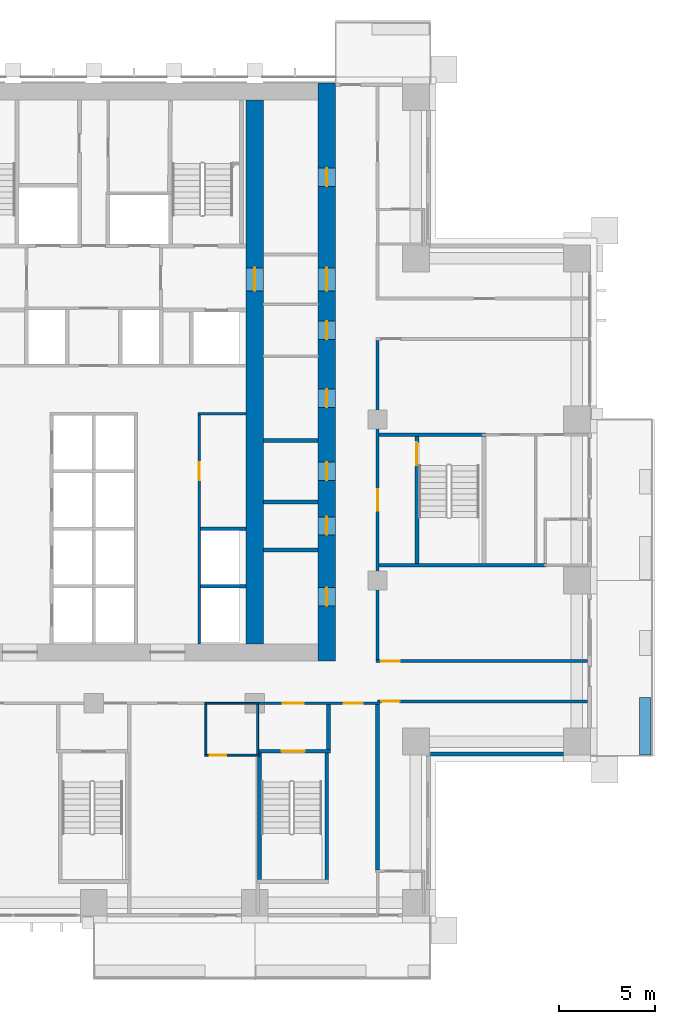
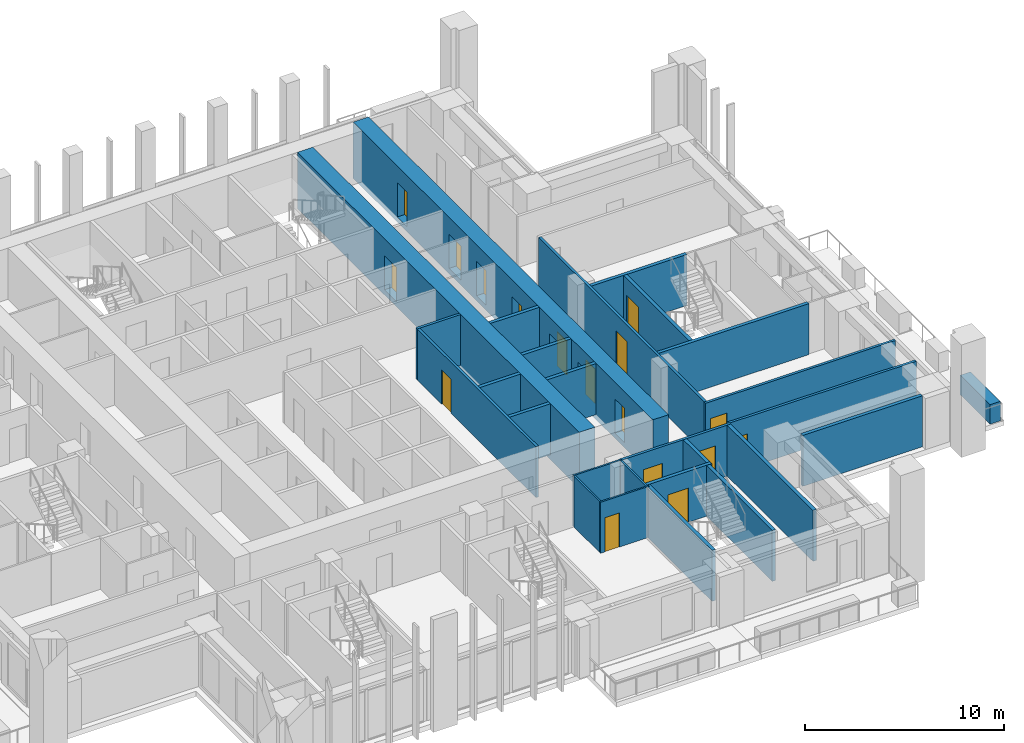
# One storey, part 11 of 19: 27 walls, 17 doors, 17 openings.
"""IFC4 building model written with IfcOpenShell, lengths in metres."""

from ifc_helpers import new_model, si_unit, direction, frame, frame_2d, origin, place, context, subcontext, project, spatial, rectangle, extrude, material, layer, layer_set, type_object, element, fill, save


model = new_model("IFC4")

# Units and contexts
model_context = context("Model", 3, precision=1e-05, world=origin(), true_north=direction((0.0, 1.0)))
body_context = subcontext(model_context, "Body", "Model", "MODEL_VIEW")
ifc_project = project(units=[si_unit("LENGTHUNIT", "METRE"), si_unit("AREAUNIT", "SQUARE_METRE"), si_unit("VOLUMEUNIT", "CUBIC_METRE"), si_unit("PLANEANGLEUNIT", "RADIAN"), si_unit("MASSUNIT", "GRAM", prefix="KILO")], contexts=[model_context])

# Site, building, storey
site_placement = place(None, origin())
site = spatial("IfcSite", under=ifc_project, at=site_placement, CompositionType="ELEMENT")
building_placement = place(site_placement, origin())
building = spatial("IfcBuilding", under=site, at=building_placement, Name="Vermilion Ogive Tower", CompositionType="ELEMENT")
storey_placement = place(building_placement, frame((0.0, 0.0, 48.300048828125)))
storey = spatial("IfcBuildingStorey", under=building, at=storey_placement, Name="L10", CompositionType="ELEMENT", Elevation=48.300048828125)

# Wall, openings, doors
ifc_material_1 = material(Name="Concrete B80", Category="concrete")
ifc_layer_1 = layer(ifc_material_1, 0.89990234375)
ifc_layer_set_1 = layer_set([ifc_layer_1], Name="Core wall 900 B80")
wall_type_1 = type_object("IfcWallType", Name="Core wall 900 B80", PredefinedType="SHEAR", material=ifc_layer_set_1)
wall_1_placement = place(storey_placement, frame((12.14990234375, -8.39990234375, -0.320068359375), z_axis=(0.0, 0.0, 1.0), x_axis=(0.0, 1.0, 0.0)))
wall_1 = element("IfcWall", 1, at=wall_1_placement, inside=storey, type_object=wall_type_1, Name="L10-CORE-E", PredefinedType="SHEAR", context=body_context, shape_type="SweptSolid", body=[
    extrude(rectangle(XDim=30.14990234375, YDim=0.89990234375, at=frame_2d((15.074951171875, 0.0))), origin(), (0.0, 0.0, 1.0), 3.449951171875),
])
opening_1_placement = place(wall_1_placement, frame((2.875, 0.0, 0.320068359375)))
opening_1 = element("IfcOpeningElement", 2, at=opening_1_placement, cuts=wall_1, Name="Opening DAC012", PredefinedType="OPENING", context=body_context, shape_type="SweptSolid", body=[
    extrude(rectangle(XDim=0.949951171875, YDim=2.10009765625, at=frame_2d((0.47509765625, 1.050048828125))), frame((0.0, 0.4599609375, 0.0), z_axis=(0.0, -1.0, 0.0), x_axis=(1.0, 0.0, 0.0)), (0.0, 0.0, 1.0), 0.919921875),
])
opening_2_placement = place(wall_1_placement, frame((6.574951171875, 0.0, 0.320068359375)))
opening_2 = element("IfcOpeningElement", 3, at=opening_2_placement, cuts=wall_1, Name="Opening DAC013", PredefinedType="OPENING", context=body_context, shape_type="SweptSolid", body=[
    extrude(rectangle(XDim=0.949951171875, YDim=2.10009765625, at=frame_2d((0.47509765625, 1.050048828125))), frame((0.0, 0.4599609375, 0.0), z_axis=(0.0, -1.0, 0.0), x_axis=(1.0, 0.0, 0.0)), (0.0, 0.0, 1.0), 0.919921875),
])
opening_3_placement = place(wall_1_placement, frame((9.425048828125, 0.0, 0.320068359375)))
opening_3 = element("IfcOpeningElement", 4, at=opening_3_placement, cuts=wall_1, Name="Opening DAC014", PredefinedType="OPENING", context=body_context, shape_type="SweptSolid", body=[
    extrude(rectangle(XDim=0.949951171875, YDim=2.10009765625, at=frame_2d((0.47509765625, 1.050048828125))), frame((0.0, 0.4599609375, 0.0), z_axis=(0.0, -1.0, 0.0), x_axis=(1.0, 0.0, 0.0)), (0.0, 0.0, 1.0), 0.919921875),
])
opening_4_placement = place(wall_1_placement, frame((13.22509765625, 0.0, 0.320068359375)))
opening_4 = element("IfcOpeningElement", 5, at=opening_4_placement, cuts=wall_1, Name="Opening DAC015", PredefinedType="OPENING", context=body_context, shape_type="SweptSolid", body=[
    extrude(rectangle(XDim=0.949951171875, YDim=2.10009765625, at=frame_2d((0.47509765625, 1.050048828125))), frame((0.0, 0.4599609375, 0.0), z_axis=(0.0, -1.0, 0.0), x_axis=(1.0, 0.0, 0.0)), (0.0, 0.0, 1.0), 0.919921875),
])
opening_5_placement = place(wall_1_placement, frame((16.77490234375, 0.0, 0.320068359375)))
opening_5 = element("IfcOpeningElement", 6, at=opening_5_placement, cuts=wall_1, Name="Opening DAC016", PredefinedType="OPENING", context=body_context, shape_type="SweptSolid", body=[
    extrude(rectangle(XDim=0.949951171875, YDim=2.10009765625, at=frame_2d((0.47509765625, 1.050048828125))), frame((0.0, 0.4599609375, 0.0), z_axis=(0.0, -1.0, 0.0), x_axis=(1.0, 0.0, 0.0)), (0.0, 0.0, 1.0), 0.919921875),
])
opening_6_placement = place(wall_1_placement, frame((24.75, 0.0, 0.320068359375)))
opening_6 = element("IfcOpeningElement", 7, at=opening_6_placement, cuts=wall_1, Name="Opening DAC017", PredefinedType="OPENING", context=body_context, shape_type="SweptSolid", body=[
    extrude(rectangle(XDim=0.949951171875, YDim=2.10009765625, at=frame_2d((0.47509765625, 1.050048828125))), frame((0.0, 0.4599609375, 0.0), z_axis=(0.0, -1.0, 0.0), x_axis=(1.0, 0.0, 0.0)), (0.0, 0.0, 1.0), 0.919921875),
])
opening_7_placement = place(wall_1_placement, frame((19.300048828125, 0.0, 0.320068359375)))
opening_7 = element("IfcOpeningElement", 8, at=opening_7_placement, cuts=wall_1, Name="Opening DAL003", PredefinedType="OPENING", context=body_context, shape_type="SweptSolid", body=[
    extrude(rectangle(XDim=1.199951171875, YDim=2.10009765625, at=frame_2d((0.60009765625, 1.050048828125))), frame((0.0, 0.4599609375, 0.0), z_axis=(0.0, -1.0, 0.0), x_axis=(1.0, 0.0, 0.0)), (0.0, 0.0, 1.0), 0.919921875),
])
ifc_material_2 = material(Name="Timber door leaf", Category="wood")
door_type_1 = type_object("IfcDoorType", Name="Link door 1200 x 2100 FD60S", OperationType="SINGLE_SWING_LEFT", PredefinedType="DOOR", material=ifc_material_2)
door_1_placement = place(opening_7_placement, origin())
door_1 = element("IfcDoor", 9, at=door_1_placement, inside=storey, type_object=door_type_1, Name="L10-CKE-XL", OperationType="SINGLE_SWING_LEFT", OverallHeight=2.10009765625, OverallWidth=1.199951171875, PredefinedType="DOOR", context=body_context, shape_type="SweptSolid", body=[
    extrude(rectangle(XDim=1.199951171875, YDim=2.10009765625, at=frame_2d((0.60009765625, 1.050048828125))), frame((0.0, 0.02490234375, 0.0), z_axis=(0.0, -1.0, 0.0), x_axis=(1.0, 0.0, 0.0)), (0.0, 0.0, 1.0), 0.050048828125),
])
fill(opening_7, door_1)
ifc_material_3 = material(Name="Timber door leaf", Category="wood")
door_type_2 = type_object("IfcDoorType", Name="Service door 950 x 2100 FD60", OperationType="SINGLE_SWING_LEFT", PredefinedType="DOOR", material=ifc_material_3)
door_2_placement = place(opening_1_placement, origin())
door_2 = element("IfcDoor", 10, at=door_2_placement, inside=storey, type_object=door_type_2, Name="L10-CKE-XR0", OperationType="SINGLE_SWING_LEFT", OverallHeight=2.10009765625, OverallWidth=0.949951171875, PredefinedType="DOOR", context=body_context, shape_type="SweptSolid", body=[
    extrude(rectangle(XDim=0.949951171875, YDim=2.10009765625, at=frame_2d((0.47509765625, 1.050048828125))), frame((0.0, 0.02490234375, 0.0), z_axis=(0.0, -1.0, 0.0), x_axis=(1.0, 0.0, 0.0)), (0.0, 0.0, 1.0), 0.050048828125),
])
fill(opening_1, door_2)
door_3_placement = place(opening_2_placement, origin())
door_3 = element("IfcDoor", 11, at=door_3_placement, inside=storey, type_object=door_type_2, Name="L10-CKE-XR1", OperationType="SINGLE_SWING_LEFT", OverallHeight=2.10009765625, OverallWidth=0.949951171875, PredefinedType="DOOR", context=body_context, shape_type="SweptSolid", body=[
    extrude(rectangle(XDim=0.949951171875, YDim=2.10009765625, at=frame_2d((0.47509765625, 1.050048828125))), frame((0.0, 0.02490234375, 0.0), z_axis=(0.0, -1.0, 0.0), x_axis=(1.0, 0.0, 0.0)), (0.0, 0.0, 1.0), 0.050048828125),
])
fill(opening_2, door_3)
door_4_placement = place(opening_3_placement, origin())
door_4 = element("IfcDoor", 12, at=door_4_placement, inside=storey, type_object=door_type_2, Name="L10-CKE-XR2", OperationType="SINGLE_SWING_LEFT", OverallHeight=2.10009765625, OverallWidth=0.949951171875, PredefinedType="DOOR", context=body_context, shape_type="SweptSolid", body=[
    extrude(rectangle(XDim=0.949951171875, YDim=2.10009765625, at=frame_2d((0.47509765625, 1.050048828125))), frame((0.0, 0.02490234375, 0.0), z_axis=(0.0, -1.0, 0.0), x_axis=(1.0, 0.0, 0.0)), (0.0, 0.0, 1.0), 0.050048828125),
])
fill(opening_3, door_4)
door_5_placement = place(opening_4_placement, origin())
door_5 = element("IfcDoor", 13, at=door_5_placement, inside=storey, type_object=door_type_2, Name="L10-CKE-XR3", OperationType="SINGLE_SWING_LEFT", OverallHeight=2.10009765625, OverallWidth=0.949951171875, PredefinedType="DOOR", context=body_context, shape_type="SweptSolid", body=[
    extrude(rectangle(XDim=0.949951171875, YDim=2.10009765625, at=frame_2d((0.47509765625, 1.050048828125))), frame((0.0, 0.02490234375, 0.0), z_axis=(0.0, -1.0, 0.0), x_axis=(1.0, 0.0, 0.0)), (0.0, 0.0, 1.0), 0.050048828125),
])
fill(opening_4, door_5)
door_6_placement = place(opening_5_placement, origin())
door_6 = element("IfcDoor", 14, at=door_6_placement, inside=storey, type_object=door_type_2, Name="L10-CKE-XR4", OperationType="SINGLE_SWING_LEFT", OverallHeight=2.10009765625, OverallWidth=0.949951171875, PredefinedType="DOOR", context=body_context, shape_type="SweptSolid", body=[
    extrude(rectangle(XDim=0.949951171875, YDim=2.10009765625, at=frame_2d((0.47509765625, 1.050048828125))), frame((0.0, 0.02490234375, 0.0), z_axis=(0.0, -1.0, 0.0), x_axis=(1.0, 0.0, 0.0)), (0.0, 0.0, 1.0), 0.050048828125),
])
fill(opening_5, door_6)
door_7_placement = place(opening_6_placement, origin())
door_7 = element("IfcDoor", 15, at=door_7_placement, inside=storey, type_object=door_type_2, Name="L10-CKE-XR5", OperationType="SINGLE_SWING_LEFT", OverallHeight=2.10009765625, OverallWidth=0.949951171875, PredefinedType="DOOR", context=body_context, shape_type="SweptSolid", body=[
    extrude(rectangle(XDim=0.949951171875, YDim=2.10009765625, at=frame_2d((0.47509765625, 1.050048828125))), frame((0.0, 0.02490234375, 0.0), z_axis=(0.0, -1.0, 0.0), x_axis=(1.0, 0.0, 0.0)), (0.0, 0.0, 1.0), 0.050048828125),
])
fill(opening_6, door_7)

# Wall, opening, door
wall_2_placement = place(storey_placement, frame((8.39990234375, -7.5, -0.320068359375), z_axis=(0.0, 0.0, 1.0), x_axis=(0.0, 1.0, 0.0)))
wall_2 = element("IfcWall", 16, at=wall_2_placement, inside=storey, type_object=wall_type_1, Name="L10-CORE-WEB2", PredefinedType="SHEAR", context=body_context, shape_type="SweptSolid", body=[
    extrude(rectangle(XDim=28.35009765625, YDim=0.89990234375, at=frame_2d((14.175048828125, 0.0))), origin(), (0.0, 0.0, 1.0), 3.449951171875),
])
opening_8_placement = place(wall_2_placement, frame((18.39990234375, 0.0, 0.320068359375)))
opening_8 = element("IfcOpeningElement", 17, at=opening_8_placement, cuts=wall_2, Name="Opening DAO003", PredefinedType="OPENING", context=body_context, shape_type="SweptSolid", body=[
    extrude(rectangle(XDim=1.199951171875, YDim=2.10009765625, at=frame_2d((0.60009765625, 1.050048828125))), frame((0.0, 0.4599609375, 0.0), z_axis=(0.0, -1.0, 0.0), x_axis=(1.0, 0.0, 0.0)), (0.0, 0.0, 1.0), 0.919921875),
])
door_8_placement = place(opening_8_placement, origin())
door_8 = element("IfcDoor", 18, at=door_8_placement, inside=storey, type_object=door_type_1, Name="L10-CKE-XW", OperationType="SINGLE_SWING_LEFT", OverallHeight=2.10009765625, OverallWidth=1.199951171875, PredefinedType="DOOR", context=body_context, shape_type="SweptSolid", body=[
    extrude(rectangle(XDim=1.199951171875, YDim=2.10009765625, at=frame_2d((0.60009765625, 1.050048828125))), frame((0.0, 0.02490234375, 0.0), z_axis=(0.0, -1.0, 0.0), x_axis=(1.0, 0.0, 0.0)), (0.0, 0.0, 1.0), 0.050048828125),
])
fill(opening_8, door_8)

ifc_material_4 = material(Name="Gypsum board partition on steel studs", Category="steel")
ifc_layer_2 = layer(ifc_material_4, 0.10009765625)
ifc_layer_set_2 = layer_set([ifc_layer_2], Name="Partition 100 bath")
wall_type_2 = type_object("IfcWallType", Name="Partition 100 bath", PredefinedType="PARTITIONING", material=ifc_layer_set_2)
wall_3_placement = place(storey_placement, frame((5.800048828125, -13.300048828125, 0.0), z_axis=(0.0, 0.0, 1.0), x_axis=(1.0, 0.0, 0.0)))
wall_3 = element("IfcWall", 19, at=wall_3_placement, inside=storey, type_object=wall_type_2, Name="L10-W-W006", PredefinedType="PARTITIONING", context=body_context, shape_type="SweptSolid", body=[
    extrude(rectangle(XDim=2.849853515625, YDim=0.10009765625, at=frame_2d((1.4248046875, 0.0))), origin(), (0.0, 0.0, 1.0), 3.1298828125),
])
opening_9_placement = place(wall_3_placement, frame((0.25, 0.0, 0.0)))
opening_9 = element("IfcOpeningElement", 20, at=opening_9_placement, cuts=wall_3, Name="Opening D1G3013", PredefinedType="OPENING", context=body_context, shape_type="SweptSolid", body=[
    extrude(rectangle(XDim=0.85009765625, YDim=2.10009765625, at=frame_2d((0.425048828125, 1.050048828125))), frame((0.0, 0.06005859375, 0.0), z_axis=(0.0, -1.0, 0.0), x_axis=(1.0, 0.0, 0.0)), (0.0, 0.0, 1.0), 0.1201171875),
])
ifc_material_5 = material(Name="Timber door leaf", Category="wood")
door_type_3 = type_object("IfcDoorType", Name="Bath door 850 x 2100 FD30", OperationType="SINGLE_SWING_LEFT", PredefinedType="DOOR", material=ifc_material_5)
door_9_placement = place(opening_9_placement, origin())
door_9 = element("IfcDoor", 21, at=door_9_placement, inside=storey, type_object=door_type_3, Name="L10-D-D013", OperationType="SINGLE_SWING_LEFT", OverallHeight=2.10009765625, OverallWidth=0.85009765625, PredefinedType="DOOR", context=body_context, shape_type="SweptSolid", body=[
    extrude(rectangle(XDim=0.85009765625, YDim=2.10009765625, at=frame_2d((0.425048828125, 1.050048828125))), frame((0.0, 0.02490234375, 0.0), z_axis=(0.0, -1.0, 0.0), x_axis=(1.0, 0.0, 0.0)), (0.0, 0.0, 1.0), 0.050048828125),
])
fill(opening_9, door_9)

# Walls
wall_4_placement = place(storey_placement, frame((5.800048828125, -10.60009765625, 0.0), z_axis=(0.0, 0.0, 1.0), x_axis=(1.0, 0.0, 0.0)))
element("IfcWall", 22, at=wall_4_placement, inside=storey, type_object=wall_type_2, Name="L10-W-W011", PredefinedType="PARTITIONING", context=body_context, shape_type="SweptSolid", body=[
    extrude(rectangle(XDim=2.800048828125, YDim=0.10009765625, at=frame_2d((1.39990234375, 0.0))), origin(), (0.0, 0.0, 1.0), 3.1298828125),
])
for number, where, z_axis, x_axis, name in (
    (23, (5.85009765625, -13.25, 0.0), (0.0, 0.0, 1.0), (0.0, 1.0, 0.0), "L10-W-W064"),
    (24, (8.550048828125, -13.25, 0.0), (0.0, 0.0, 1.0), (0.0, 1.0, 0.0), "L10-W-W066"),
):
    element("IfcWall", number, at=place(storey_placement, frame(where, z_axis=z_axis, x_axis=x_axis)), inside=storey, type_object=wall_type_2, Name=name, PredefinedType="PARTITIONING", context=body_context, shape_type="SweptSolid", body=[
        extrude(rectangle(XDim=2.574951171875, YDim=0.10009765625, at=frame_2d((1.28759765625, 0.0))), origin(), (0.0, 0.0, 1.0), 3.1298828125),
    ])

# Wall, openings, doors
ifc_material_6 = material(Name="Gypsum board partition on steel studs", Category="steel")
ifc_layer_3 = layer(ifc_material_6, 0.14990234375)
ifc_layer_set_3 = layer_set([ifc_layer_3], Name="Partition 150 corridor")
wall_type_3 = type_object("IfcWallType", Name="Partition 150 corridor", PredefinedType="PARTITIONING", material=ifc_layer_set_3)
wall_5_placement = place(storey_placement, frame((8.5, -10.60009765625, 0.0), z_axis=(0.0, 0.0, 1.0), x_axis=(1.0, 0.0, 0.0)))
wall_5 = element("IfcWall", 25, at=wall_5_placement, inside=storey, type_object=wall_type_3, Name="L10-W-W012", PredefinedType="PARTITIONING", context=body_context, shape_type="SweptSolid", body=[
    extrude(rectangle(XDim=6.39990234375, YDim=0.14990234375, at=frame_2d((3.199951171875, 0.0))), origin(), (0.0, 0.0, 1.0), 3.1298828125),
])
opening_10_placement = place(wall_5_placement, frame((1.35009765625, 0.0, 0.0)))
opening_10 = element("IfcOpeningElement", 26, at=opening_10_placement, cuts=wall_5, Name="Opening D1G3027", PredefinedType="OPENING", context=body_context, shape_type="SweptSolid", body=[
    extrude(rectangle(XDim=1.10009765625, YDim=2.10009765625, at=frame_2d((0.550048828125, 1.050048828125))), frame((0.0, 0.0849609375, 0.0), z_axis=(0.0, -1.0, 0.0), x_axis=(1.0, 0.0, 0.0)), (0.0, 0.0, 1.0), 0.169921875),
])
opening_11_placement = place(wall_5_placement, frame((4.52490234375, 0.0, 0.0)))
opening_11 = element("IfcOpeningElement", 27, at=opening_11_placement, cuts=wall_5, Name="Opening D1G3034", PredefinedType="OPENING", context=body_context, shape_type="SweptSolid", body=[
    extrude(rectangle(XDim=1.0, YDim=2.10009765625, at=frame_2d((0.5, 1.050048828125))), frame((0.0, 0.0849609375, 0.0), z_axis=(0.0, -1.0, 0.0), x_axis=(1.0, 0.0, 0.0)), (0.0, 0.0, 1.0), 0.169921875),
])
ifc_material_7 = material(Name="Timber door leaf", Category="wood")
door_type_4 = type_object("IfcDoorType", Name="Stair door 1100 x 2100 FD60S", OperationType="SINGLE_SWING_LEFT", PredefinedType="DOOR", material=ifc_material_7)
door_10_placement = place(opening_10_placement, origin())
door_10 = element("IfcDoor", 28, at=door_10_placement, inside=storey, type_object=door_type_4, Name="L10-D-D027", OperationType="SINGLE_SWING_RIGHT", OverallHeight=2.10009765625, OverallWidth=1.10009765625, PredefinedType="DOOR", context=body_context, shape_type="SweptSolid", body=[
    extrude(rectangle(XDim=1.10009765625, YDim=2.10009765625, at=frame_2d((0.550048828125, 1.050048828125))), frame((0.0, 0.02490234375, 0.0), z_axis=(0.0, -1.0, 0.0), x_axis=(1.0, 0.0, 0.0)), (0.0, 0.0, 1.0), 0.050048828125),
])
fill(opening_10, door_10)
ifc_material_8 = material(Name="Timber door leaf", Category="wood")
door_type_5 = type_object("IfcDoorType", Name="Unit door 1000 x 2100 FD30S", OperationType="SINGLE_SWING_LEFT", PredefinedType="DOOR", material=ifc_material_8)
door_11_placement = place(opening_11_placement, origin())
door_11 = element("IfcDoor", 29, at=door_11_placement, inside=storey, type_object=door_type_5, Name="L10-D-D034", OperationType="SINGLE_SWING_RIGHT", OverallHeight=2.10009765625, OverallWidth=1.0, PredefinedType="DOOR", context=body_context, shape_type="SweptSolid", body=[
    extrude(rectangle(XDim=1.0, YDim=2.10009765625, at=frame_2d((0.5, 1.050048828125))), frame((0.0, 0.02490234375, 0.0), z_axis=(0.0, -1.0, 0.0), x_axis=(1.0, 0.0, 0.0)), (0.0, 0.0, 1.0), 0.050048828125),
])
fill(opening_11, door_11)

# Wall, opening, door
wall_6_placement = place(storey_placement, frame((14.800048828125, -10.5, 0.0), z_axis=(0.0, 0.0, 1.0), x_axis=(1.0, 0.0, 0.0)))
wall_6 = element("IfcWall", 30, at=wall_6_placement, inside=storey, type_object=wall_type_3, Name="L10-W-W014", PredefinedType="PARTITIONING", context=body_context, shape_type="SweptSolid", body=[
    extrude(rectangle(XDim=10.949951171875, YDim=0.14990234375, at=frame_2d((5.47509765625, 0.0))), origin(), (0.0, 0.0, 1.0), 3.1298828125),
])
opening_12_placement = place(wall_6_placement, frame((0.199951171875, 0.0, 0.0)))
opening_12 = element("IfcOpeningElement", 31, at=opening_12_placement, cuts=wall_6, Name="Opening D1G3014", PredefinedType="OPENING", context=body_context, shape_type="SweptSolid", body=[
    extrude(rectangle(XDim=0.949951171875, YDim=2.10009765625, at=frame_2d((0.47509765625, 1.050048828125))), frame((0.0, 0.0849609375, 0.0), z_axis=(0.0, -1.0, 0.0), x_axis=(1.0, 0.0, 0.0)), (0.0, 0.0, 1.0), 0.169921875),
])
ifc_material_9 = material(Name="Timber door leaf", Category="wood")
door_type_6 = type_object("IfcDoorType", Name="Unit door 950 x 2100 FD30S", OperationType="SINGLE_SWING_LEFT", PredefinedType="DOOR", material=ifc_material_9)
door_12_placement = place(opening_12_placement, origin())
door_12 = element("IfcDoor", 32, at=door_12_placement, inside=storey, type_object=door_type_6, Name="L10-D-D014", OperationType="SINGLE_SWING_RIGHT", OverallHeight=2.10009765625, OverallWidth=0.949951171875, PredefinedType="DOOR", context=body_context, shape_type="SweptSolid", body=[
    extrude(rectangle(XDim=0.949951171875, YDim=2.10009765625, at=frame_2d((0.47509765625, 1.050048828125))), frame((0.0, 0.02490234375, 0.0), z_axis=(0.0, -1.0, 0.0), x_axis=(1.0, 0.0, 0.0)), (0.0, 0.0, 1.0), 0.050048828125),
])
fill(opening_12, door_12)

wall_7_placement = place(storey_placement, frame((14.72509765625, -8.39990234375, 0.0), z_axis=(0.0, 0.0, 1.0), x_axis=(1.0, 0.0, 0.0)))
wall_7 = element("IfcWall", 33, at=wall_7_placement, inside=storey, type_object=wall_type_3, Name="L10-W-W016", PredefinedType="PARTITIONING", context=body_context, shape_type="SweptSolid", body=[
    extrude(rectangle(XDim=11.02490234375, YDim=0.14990234375, at=frame_2d((5.512451171875, 0.0))), origin(), (0.0, 0.0, 1.0), 3.1298828125),
])
opening_13_placement = place(wall_7_placement, frame((0.27490234375, 0.0, 0.0)))
opening_13 = element("IfcOpeningElement", 34, at=opening_13_placement, cuts=wall_7, Name="Opening D1G3016", PredefinedType="OPENING", context=body_context, shape_type="SweptSolid", body=[
    extrude(rectangle(XDim=0.949951171875, YDim=2.10009765625, at=frame_2d((0.47509765625, 1.050048828125))), frame((0.0, 0.0849609375, 0.0), z_axis=(0.0, -1.0, 0.0), x_axis=(1.0, 0.0, 0.0)), (0.0, 0.0, 1.0), 0.169921875),
])
door_13_placement = place(opening_13_placement, origin())
door_13 = element("IfcDoor", 35, at=door_13_placement, inside=storey, type_object=door_type_6, Name="L10-D-D016", OperationType="SINGLE_SWING_LEFT", OverallHeight=2.10009765625, OverallWidth=0.949951171875, PredefinedType="DOOR", context=body_context, shape_type="SweptSolid", body=[
    extrude(rectangle(XDim=0.949951171875, YDim=2.10009765625, at=frame_2d((0.47509765625, 1.050048828125))), frame((0.0, 0.02490234375, 0.0), z_axis=(0.0, -1.0, 0.0), x_axis=(1.0, 0.0, 0.0)), (0.0, 0.0, 1.0), 0.050048828125),
])
fill(opening_13, door_13)

wall_8_placement = place(storey_placement, frame((14.800048828125, -8.324951171875, 0.0), z_axis=(0.0, 0.0, 1.0), x_axis=(0.0, 1.0, 0.0)))
wall_8 = element("IfcWall", 36, at=wall_8_placement, inside=storey, type_object=wall_type_3, Name="L10-W-W072", PredefinedType="PARTITIONING", context=body_context, shape_type="SweptSolid", body=[
    extrude(rectangle(XDim=16.64990234375, YDim=0.14990234375, at=frame_2d((8.324951171875, 0.0))), origin(), (0.0, 0.0, 1.0), 3.1298828125),
])
opening_14_placement = place(wall_8_placement, frame((7.77490234375, 0.0, 0.0)))
opening_14 = element("IfcOpeningElement", 37, at=opening_14_placement, cuts=wall_8, Name="Opening D1G3029", PredefinedType="OPENING", context=body_context, shape_type="SweptSolid", body=[
    extrude(rectangle(XDim=1.10009765625, YDim=2.10009765625, at=frame_2d((0.550048828125, 1.050048828125))), frame((0.0, 0.0849609375, 0.0), z_axis=(0.0, -1.0, 0.0), x_axis=(1.0, 0.0, 0.0)), (0.0, 0.0, 1.0), 0.169921875),
])
door_14_placement = place(opening_14_placement, origin())
door_14 = element("IfcDoor", 38, at=door_14_placement, inside=storey, type_object=door_type_4, Name="L10-D-D029", OperationType="SINGLE_SWING_RIGHT", OverallHeight=2.10009765625, OverallWidth=1.10009765625, PredefinedType="DOOR", context=body_context, shape_type="SweptSolid", body=[
    extrude(rectangle(XDim=1.10009765625, YDim=2.10009765625, at=frame_2d((0.550048828125, 1.050048828125))), frame((0.0, 0.02490234375, 0.0), z_axis=(0.0, -1.0, 0.0), x_axis=(1.0, 0.0, 0.0)), (0.0, 0.0, 1.0), 0.050048828125),
])
fill(opening_14, door_14)

# Wall
wall_9_placement = place(storey_placement, frame((5.425048828125, 4.5, 0.0), z_axis=(0.0, 0.0, 1.0), x_axis=(1.0, 0.0, 0.0)))
element("IfcWall", 39, at=wall_9_placement, inside=storey, type_object=wall_type_3, Name="L10-CK-W-W011", PredefinedType="PARTITIONING", context=body_context, shape_type="SweptSolid", body=[
    extrude(rectangle(XDim=2.52392578125, YDim=0.14990234375, at=frame_2d((1.261962890625, 0.0))), origin(), (0.0, 0.0, 1.0), 3.1298828125),
])

# Wall, opening, door
wall_10_placement = place(storey_placement, frame((5.5, -7.4990234375, 0.0), z_axis=(0.0, 0.0, 1.0), x_axis=(0.0, 1.0, 0.0)))
wall_10 = element("IfcWall", 40, at=wall_10_placement, inside=storey, type_object=wall_type_3, Name="L10-CK-W-W039", PredefinedType="PARTITIONING", context=body_context, shape_type="SweptSolid", body=[
    extrude(rectangle(XDim=11.924072265625, YDim=0.14990234375, at=frame_2d((5.9619140625, 0.0))), origin(), (0.0, 0.0, 1.0), 3.1298828125),
])
opening_15_placement = place(wall_10_placement, frame((8.52392578125, 0.0, 0.0)))
opening_15 = element("IfcOpeningElement", 41, at=opening_15_placement, cuts=wall_10, Name="Opening DAA051", PredefinedType="OPENING", context=body_context, shape_type="SweptSolid", body=[
    extrude(rectangle(XDim=0.949951171875, YDim=2.10009765625, at=frame_2d((0.47509765625, 1.050048828125))), frame((0.0, 0.0849609375, 0.0), z_axis=(0.0, -1.0, 0.0), x_axis=(1.0, 0.0, 0.0)), (0.0, 0.0, 1.0), 0.169921875),
])
door_15_placement = place(opening_15_placement, origin())
door_15 = element("IfcDoor", 42, at=door_15_placement, inside=storey, type_object=door_type_2, Name="L10-CK-D-D009", OperationType="SINGLE_SWING_LEFT", OverallHeight=2.10009765625, OverallWidth=0.949951171875, PredefinedType="DOOR", context=body_context, shape_type="SweptSolid", body=[
    extrude(rectangle(XDim=0.949951171875, YDim=2.10009765625, at=frame_2d((0.47509765625, 1.050048828125))), frame((0.0, 0.02490234375, 0.0), z_axis=(0.0, -1.0, 0.0), x_axis=(1.0, 0.0, 0.0)), (0.0, 0.0, 1.0), 0.050048828125),
])
fill(opening_15, door_15)

# Walls
ifc_material_10 = material(Name="Gypsum board partition on steel studs", Category="steel")
ifc_layer_4 = layer(ifc_material_10, 0.199951171875)
ifc_layer_set_4 = layer_set([ifc_layer_4], Name="Partition 200 party")
wall_type_4 = type_object("IfcWallType", Name="Partition 200 party", PredefinedType="PARTITIONING", material=ifc_layer_set_4)
wall_11_placement = place(storey_placement, frame((14.800048828125, -19.300048828125, 0.0), z_axis=(0.0, 0.0, 1.0), x_axis=(0.0, 1.0, 0.0)))
element("IfcWall", 43, at=wall_11_placement, inside=storey, type_object=wall_type_4, Name="L10-W-W071", PredefinedType="PARTITIONING", context=body_context, shape_type="SweptSolid", body=[
    extrude(rectangle(XDim=8.625, YDim=0.199951171875, at=frame_2d((4.3125, 0.0))), origin(), (0.0, 0.0, 1.0), 3.1298828125),
])
for number, where, z_axis, x_axis, name in (
    (44, (5.574951171875, -4.5, 0.0), (0.0, 0.0, 1.0), (1.0, 0.0, 0.0), "L10-CK-W-W003"),
    (45, (5.574951171875, -1.5, 0.0), (0.0, 0.0, 1.0), (1.0, 0.0, 0.0), "L10-CK-W-W006"),
):
    element("IfcWall", number, at=place(storey_placement, frame(where, z_axis=z_axis, x_axis=x_axis)), inside=storey, type_object=wall_type_4, Name=name, PredefinedType="PARTITIONING", context=body_context, shape_type="SweptSolid", body=[
        extrude(rectangle(XDim=2.3740234375, YDim=0.199951171875, at=frame_2d((1.18701171875, 0.0))), origin(), (0.0, 0.0, 1.0), 3.1298828125),
    ])
for number, where, z_axis, x_axis, name in (
    (46, (8.85107421875, -2.60009765625, 0.0), (0.0, 0.0, 1.0), (1.0, 0.0, 0.0), "L10-CKE-W-W001"),
    (47, (8.85107421875, -0.10009765625, 0.0), (0.0, 0.0, 1.0), (1.0, 0.0, 0.0), "L10-CKE-W-W002"),
    (48, (8.85107421875, 3.10009765625, 0.0), (0.0, 0.0, 1.0), (1.0, 0.0, 0.0), "L10-CKE-W-W003"),
):
    element("IfcWall", number, at=place(storey_placement, frame(where, z_axis=z_axis, x_axis=x_axis)), inside=storey, type_object=wall_type_4, Name=name, PredefinedType="PARTITIONING", context=body_context, shape_type="SweptSolid", body=[
        extrude(rectangle(XDim=2.847900390625, YDim=0.199951171875, at=frame_2d((1.423828125, 0.0))), origin(), (0.0, 0.0, 1.0), 3.1298828125),
    ])

# Wall, opening, door
ifc_material_11 = material(Name="Concrete B60", Category="concrete")
ifc_layer_5 = layer(ifc_material_11, 0.199951171875)
ifc_layer_set_5 = layer_set([ifc_layer_5], Name="Stair shaft wall 200 Concrete B60")
wall_type_5 = type_object("IfcWallType", Name="Stair shaft wall 200 Concrete B60", PredefinedType="SOLIDWALL", material=ifc_layer_set_5)
wall_12_placement = place(storey_placement, frame((8.60205078125, -13.10009765625, 0.0), z_axis=(0.0, 0.0, 1.0), x_axis=(1.0, 0.0, 0.0)))
wall_12 = element("IfcWall", 49, at=wall_12_placement, inside=storey, type_object=wall_type_5, Name="L10-W-W009", PredefinedType="SOLIDWALL", context=body_context, shape_type="SweptSolid", body=[
    extrude(rectangle(XDim=3.745849609375, YDim=0.199951171875, at=frame_2d((1.873046875, 0.0))), origin(), (0.0, 0.0, 1.0), 3.1298828125),
])
opening_16_placement = place(wall_12_placement, frame((1.197998046875, 0.0, 0.0)))
opening_16 = element("IfcOpeningElement", 50, at=opening_16_placement, cuts=wall_12, Name="Opening D1G3028", PredefinedType="OPENING", context=body_context, shape_type="SweptSolid", body=[
    extrude(rectangle(XDim=1.199951171875, YDim=2.10009765625, at=frame_2d((0.60009765625, 1.050048828125))), frame((0.0, 0.10986328125, 0.0), z_axis=(0.0, -1.0, 0.0), x_axis=(1.0, 0.0, 0.0)), (0.0, 0.0, 1.0), 0.219970703125),
])
ifc_material_12 = material(Name="Timber door leaf", Category="wood")
door_type_7 = type_object("IfcDoorType", Name="Stair door 1200 x 2100 FD60S", OperationType="SINGLE_SWING_LEFT", PredefinedType="DOOR", material=ifc_material_12)
door_16_placement = place(opening_16_placement, origin())
door_16 = element("IfcDoor", 51, at=door_16_placement, inside=storey, type_object=door_type_7, Name="L10-D-D028", OperationType="SINGLE_SWING_RIGHT", OverallHeight=2.10009765625, OverallWidth=1.199951171875, PredefinedType="DOOR", context=body_context, shape_type="SweptSolid", body=[
    extrude(rectangle(XDim=1.199951171875, YDim=2.10009765625, at=frame_2d((0.60009765625, 1.050048828125))), frame((0.0, 0.02490234375, 0.0), z_axis=(0.0, -1.0, 0.0), x_axis=(1.0, 0.0, 0.0)), (0.0, 0.0, 1.0), 0.050048828125),
])
fill(opening_16, door_16)

# Walls
wall_13_placement = place(storey_placement, frame((14.875, -3.39990234375, 0.0), z_axis=(0.0, 0.0, 1.0), x_axis=(1.0, 0.0, 0.0)))
element("IfcWall", 52, at=wall_13_placement, inside=storey, type_object=wall_type_5, Name="L10-W-W022", PredefinedType="SOLIDWALL", context=body_context, shape_type="SweptSolid", body=[
    extrude(rectangle(XDim=8.72509765625, YDim=0.199951171875, at=frame_2d((4.362548828125, 0.0))), origin(), (0.0, 0.0, 1.0), 3.1298828125),
])
wall_14_placement = place(storey_placement, frame((14.875, 3.39990234375, 0.0), z_axis=(0.0, 0.0, 1.0), x_axis=(1.0, 0.0, 0.0)))
element("IfcWall", 53, at=wall_14_placement, inside=storey, type_object=wall_type_5, Name="L10-W-W028", PredefinedType="SOLIDWALL", context=body_context, shape_type="SweptSolid", body=[
    extrude(rectangle(XDim=5.574951171875, YDim=0.199951171875, at=frame_2d((2.78759765625, 0.0))), origin(), (0.0, 0.0, 1.0), 3.1298828125),
])
for number, where, z_axis, x_axis, name in (
    (54, (8.64990234375, -19.798095703125, 0.0), (0.0, 0.0, 1.0), (0.0, 1.0, 0.0), "L10-W-W067"),
    (55, (12.14990234375, -19.798095703125, 0.0), (0.0, 0.0, 1.0), (0.0, 1.0, 0.0), "L10-W-W068"),
):
    element("IfcWall", number, at=place(storey_placement, frame(where, z_axis=z_axis, x_axis=x_axis)), inside=storey, type_object=wall_type_5, Name=name, PredefinedType="SOLIDWALL", context=body_context, shape_type="SweptSolid", body=[
        extrude(rectangle(XDim=6.59619140625, YDim=0.199951171875, at=frame_2d((3.298095703125, 0.0))), origin(), (0.0, 0.0, 1.0), 3.1298828125),
    ])
wall_15_placement = place(storey_placement, frame((12.25, -12.998046875, 0.0), z_axis=(0.0, 0.0, 1.0), x_axis=(0.0, 1.0, 0.0)))
element("IfcWall", 56, at=wall_15_placement, inside=storey, type_object=wall_type_5, Name="L10-W-W069", PredefinedType="SOLIDWALL", context=body_context, shape_type="SweptSolid", body=[
    extrude(rectangle(XDim=2.322998046875, YDim=0.199951171875, at=frame_2d((1.16162109375, 0.0))), origin(), (0.0, 0.0, 1.0), 3.1298828125),
])

# Wall, opening, door
wall_16_placement = place(storey_placement, frame((16.85009765625, -3.300048828125, 0.0), z_axis=(0.0, 0.0, 1.0), x_axis=(0.0, 1.0, 0.0)))
wall_16 = element("IfcWall", 57, at=wall_16_placement, inside=storey, type_object=wall_type_5, Name="L10-W-W076", PredefinedType="SOLIDWALL", context=body_context, shape_type="SweptSolid", body=[
    extrude(rectangle(XDim=6.60009765625, YDim=0.199951171875, at=frame_2d((3.300048828125, 0.0))), origin(), (0.0, 0.0, 1.0), 3.1298828125),
])
opening_17_placement = place(wall_16_placement, frame((5.10009765625, 0.0, 0.0)))
opening_17 = element("IfcOpeningElement", 58, at=opening_17_placement, cuts=wall_16, Name="Opening D1G3030", PredefinedType="OPENING", context=body_context, shape_type="SweptSolid", body=[
    extrude(rectangle(XDim=1.199951171875, YDim=2.10009765625, at=frame_2d((0.60009765625, 1.050048828125))), frame((0.0, 0.10986328125, 0.0), z_axis=(0.0, -1.0, 0.0), x_axis=(1.0, 0.0, 0.0)), (0.0, 0.0, 1.0), 0.219970703125),
])
door_17_placement = place(opening_17_placement, origin())
door_17 = element("IfcDoor", 59, at=door_17_placement, inside=storey, type_object=door_type_7, Name="L10-D-D030", OperationType="SINGLE_SWING_LEFT", OverallHeight=2.10009765625, OverallWidth=1.199951171875, PredefinedType="DOOR", context=body_context, shape_type="SweptSolid", body=[
    extrude(rectangle(XDim=1.199951171875, YDim=2.10009765625, at=frame_2d((0.60009765625, 1.050048828125))), frame((0.0, 0.02490234375, 0.0), z_axis=(0.0, -1.0, 0.0), x_axis=(1.0, 0.0, 0.0)), (0.0, 0.0, 1.0), 0.050048828125),
])
fill(opening_17, door_17)

# Walls
ifc_material_13 = material(Name="Concrete B40", Category="concrete")
ifc_layer_6 = layer(ifc_material_13, 0.60009765625)
ifc_layer_set_6 = layer_set([ifc_layer_6], Name="Structural planter")
wall_type_6 = type_object("IfcWallType", Name="Structural planter", PredefinedType="USERDEFINED", material=ifc_layer_set_6)
wall_17_placement = place(storey_placement, frame((28.75, -13.2900390625, -0.0400390625), z_axis=(0.0, 0.0, 1.0), x_axis=(0.0, 1.0, 0.0)))
element("IfcWall", 60, at=wall_17_placement, inside=storey, type_object=wall_type_6, Name="Planter E01A1", ObjectType="PLANTER", PredefinedType="USERDEFINED", context=body_context, shape_type="SweptSolid", body=[
    extrude(rectangle(XDim=2.989990234375, YDim=0.60009765625, at=frame_2d((1.4951171875, 0.0))), origin(), (0.0, 0.0, 1.0), 1.199951171875),
])
ifc_material_14 = material(Name="Aluminium window wall framing", Category="aluminium")
ifc_layer_7 = layer(ifc_material_14, 0.199951171875)
ifc_layer_set_7 = layer_set([ifc_layer_7], Name="Window wall")
wall_type_7 = type_object("IfcWallType", Name="Window wall", PredefinedType="STANDARD", material=ifc_layer_set_7)
wall_18_placement = place(storey_placement, frame((17.550048828125, -13.25, 0.0), z_axis=(0.0, 0.0, 1.0), x_axis=(1.0, 0.0, 0.0)))
element("IfcWall", 61, at=wall_18_placement, inside=storey, type_object=wall_type_7, Name="Window wall X21", PredefinedType="STANDARD", context=body_context, shape_type="SweptSolid", body=[
    extrude(rectangle(XDim=6.949951171875, YDim=0.199951171875, at=frame_2d((3.47509765625, 0.0))), origin(), (0.0, 0.0, 1.0), 3.1298828125),
])

save(model, "model.ifc")
